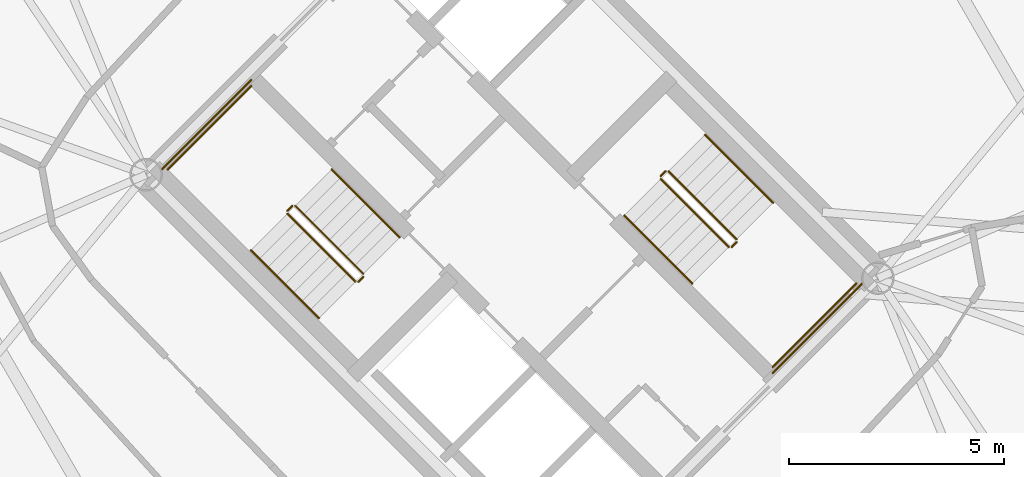
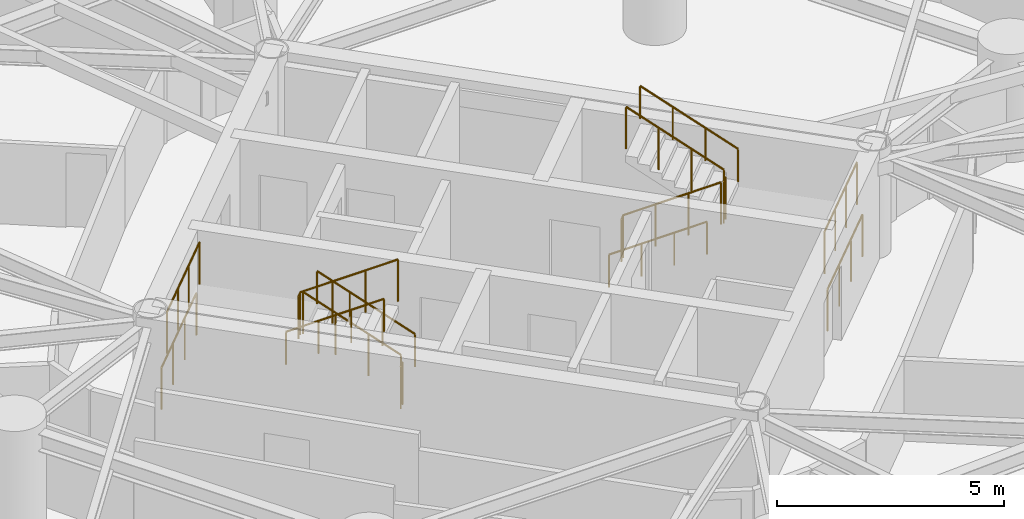
# One storey, part 17 of 17: 16 railings.
"""IFC4 building model written with IfcOpenShell, lengths in metres."""

from ifc_helpers import new_model, si_unit, direction, frame, origin, origin_2d, place, context, subcontext, project, spatial, circle, extrude, material, type_object, element, save


model = new_model("IFC4")

# Units and contexts
model_context = context("Model", 3, precision=1e-05, world=origin(), true_north=direction((0.0, 1.0)))
body_context = subcontext(model_context, "Body", "Model", "MODEL_VIEW")
ifc_project = project(units=[si_unit("LENGTHUNIT", "METRE"), si_unit("AREAUNIT", "SQUARE_METRE"), si_unit("VOLUMEUNIT", "CUBIC_METRE"), si_unit("PLANEANGLEUNIT", "RADIAN"), si_unit("MASSUNIT", "GRAM", prefix="KILO")], contexts=[model_context])

# Site, building, storey
site_placement = place(None, origin())
site = spatial("IfcSite", under=ifc_project, at=site_placement, CompositionType="ELEMENT")
building_placement = place(site_placement, origin())
building = spatial("IfcBuilding", under=site, at=building_placement, Name="Cununo Teusaquillo Station Towers", CompositionType="ELEMENT")
storey_placement = place(building_placement, frame((0.0, 0.0, 116.7099609375)))
storey = spatial("IfcBuildingStorey", under=building, at=storey_placement, Name="L37", CompositionType="ELEMENT", Elevation=116.7099609375)

# Railings
ifc_material_1 = material(Name="Steel EN 10025-2 S355J2", Category="steel")
railing_type_1 = type_object("IfcRailingType", Name="RL-INT-GUARD", PredefinedType="GUARDRAIL", material=ifc_material_1)
railing_1_placement = place(storey_placement, frame((54.03515625, 23.39697265625, 0.16162109375)))
element("IfcRailing", 1, at=railing_1_placement, inside=storey, type_object=railing_type_1, Name="L37 ST-T2-1 stair guard 1", PredefinedType="GUARDRAIL", context=body_context, shape_type="SweptSolid", body=[
    extrude(circle(Radius=0.02392578125, at=origin_2d()), frame((0.0, 0.0, 1.1259765625), z_axis=(-0.612332353853, 0.612332353853, 0.500098167213), x_axis=(-0.707106781187, -0.707106781187, 0.0)), (0.0, 0.0, 1.0), 2.58642578125),
    extrude(circle(Radius=0.02099609375, at=origin_2d()), origin(), (0.0, 0.0, 1.0), 1.101806640625),
    extrude(circle(Radius=0.02099609375, at=origin_2d()), frame((-0.52783203125, 0.52783203125, 0.43115234375)), (0.0, 0.0, 1.0), 1.101806640625),
    extrude(circle(Radius=0.02099609375, at=origin_2d()), frame((-1.055908203125, 1.055908203125, 0.8623046875)), (0.0, 0.0, 1.0), 1.101806640625),
    extrude(circle(Radius=0.02099609375, at=origin_2d()), frame((-1.583740234375, 1.583740234375, 1.29345703125)), (0.0, 0.0, 1.0), 1.101806640625),
])
railing_2_placement = place(storey_placement, frame((52.380615234375, 24.980712890625, 1.455078125)))
element("IfcRailing", 2, at=railing_2_placement, inside=storey, type_object=railing_type_1, Name="L37 ST-T2-1 stair guard 2", PredefinedType="GUARDRAIL", context=body_context, shape_type="SweptSolid", body=[
    extrude(circle(Radius=0.02392578125, at=origin_2d()), frame((0.0, 0.0, 1.1259765625), z_axis=(-0.7078691598, -0.706343579714, 0.0), x_axis=(0.706343579714, -0.7078691598, 0.0)), (0.0, 0.0, 1.0), 0.159912109375),
    extrude(circle(Radius=0.02099609375, at=origin_2d()), origin(), (0.0, 0.0, 1.0), 1.101806640625),
    extrude(circle(Radius=0.02099609375, at=origin_2d()), frame((-0.11328125, -0.113037109375, 0.0)), (0.0, 0.0, 1.0), 1.101806640625),
])
railing_3_placement = place(storey_placement, frame((51.426025390625, 27.77392578125, 1.455078125)))
element("IfcRailing", 3, at=railing_3_placement, inside=storey, type_object=railing_type_1, Name="L37 ST-T2-1 stair guard 3", PredefinedType="GUARDRAIL", context=body_context, shape_type="SweptSolid", body=[
    extrude(circle(Radius=0.02392578125, at=origin_2d()), frame((0.0, 0.0, 1.1259765625), z_axis=(-0.707106781187, -0.707106781187, 0.0), x_axis=(0.707106781187, -0.707106781187, 0.0)), (0.0, 0.0, 1.0), 2.760009765625),
    extrude(circle(Radius=0.02099609375, at=origin_2d()), origin(), (0.0, 0.0, 1.0), 1.101806640625),
    extrude(circle(Radius=0.02099609375, at=origin_2d()), frame((-0.650634765625, -0.650634765625, 0.0)), (0.0, 0.0, 1.0), 1.101806640625),
    extrude(circle(Radius=0.02099609375, at=origin_2d()), frame((-1.301025390625, -1.301025390625, 0.0)), (0.0, 0.0, 1.0), 1.101806640625),
    extrude(circle(Radius=0.02099609375, at=origin_2d()), frame((-1.95166015625, -1.95166015625, 0.0)), (0.0, 0.0, 1.0), 1.101806640625),
])
railing_4_placement = place(storey_placement, frame((52.267333984375, 24.796875, 1.61669921875)))
element("IfcRailing", 4, at=railing_4_placement, inside=storey, type_object=railing_type_1, Name="L37 ST-T2-1 stair guard 4", PredefinedType="GUARDRAIL", context=body_context, shape_type="SweptSolid", body=[
    extrude(circle(Radius=0.02392578125, at=origin_2d()), frame((0.0, 0.0, 1.1259765625), z_axis=(0.612391349474, -0.612296961165, 0.500069261639), x_axis=(0.707052281454, 0.707161276719, 0.0)), (0.0, 0.0, 1.0), 2.586669921875),
    extrude(circle(Radius=0.02099609375, at=origin_2d()), origin(), (0.0, 0.0, 1.0), 1.101806640625),
    extrude(circle(Radius=0.02099609375, at=origin_2d()), frame((0.528076171875, -0.52783203125, 0.43115234375)), (0.0, 0.0, 1.0), 1.101806640625),
    extrude(circle(Radius=0.02099609375, at=origin_2d()), frame((1.055908203125, -1.055908203125, 0.8623046875)), (0.0, 0.0, 1.0), 1.101806640625),
    extrude(circle(Radius=0.02099609375, at=origin_2d()), frame((1.583984375, -1.583740234375, 1.29345703125)), (0.0, 0.0, 1.0), 1.101806640625),
])
railing_5_placement = place(storey_placement, frame((54.03515625, 23.326171875, 0.0)))
element("IfcRailing", 5, at=railing_5_placement, inside=storey, type_object=railing_type_1, Name="L37 ST-T2-1 stair guard 5", PredefinedType="GUARDRAIL", context=body_context, shape_type="SweptSolid", body=[
    extrude(circle(Radius=0.02392578125, at=origin_2d()), frame((0.0, 0.0, 1.1259765625), z_axis=(-0.707106781187, -0.707106781187, 0.0), x_axis=(0.707106781187, -0.707106781187, 0.0)), (0.0, 0.0, 1.0), 0.159912109375),
    extrude(circle(Radius=0.02099609375, at=origin_2d()), origin(), (0.0, 0.0, 1.0), 1.101806640625),
    extrude(circle(Radius=0.02099609375, at=origin_2d()), frame((-0.113037109375, -0.113037109375, 0.0)), (0.0, 0.0, 1.0), 1.101806640625),
])
railing_6_placement = place(storey_placement, frame((51.426025390625, 27.915283203125, 0.0)))
element("IfcRailing", 6, at=railing_6_placement, inside=storey, type_object=railing_type_1, Name="L37 ST-T2-1 stair guard 6", PredefinedType="GUARDRAIL", context=body_context, shape_type="SweptSolid", body=[
    extrude(circle(Radius=0.02392578125, at=origin_2d()), frame((0.0, 0.0, 1.1259765625), z_axis=(-0.707106781187, -0.707106781187, 0.0), x_axis=(0.707106781187, -0.707106781187, 0.0)), (0.0, 0.0, 1.0), 2.9599609375),
    extrude(circle(Radius=0.02099609375, at=origin_2d()), origin(), (0.0, 0.0, 1.0), 1.101806640625),
    extrude(circle(Radius=0.02099609375, at=origin_2d()), frame((-0.69775390625, -0.69775390625, 0.0)), (0.0, 0.0, 1.0), 1.101806640625),
    extrude(circle(Radius=0.02099609375, at=origin_2d()), frame((-1.395263671875, -1.395263671875, 0.0)), (0.0, 0.0, 1.0), 1.101806640625),
    extrude(circle(Radius=0.02099609375, at=origin_2d()), frame((-2.093017578125, -2.093017578125, 0.0)), (0.0, 0.0, 1.0), 1.101806640625),
])
railing_7_placement = place(storey_placement, frame((60.96484375, 25.60302734375, 0.16162109375)))
element("IfcRailing", 7, at=railing_7_placement, inside=storey, type_object=railing_type_1, Name="L37 ST-T2-2 stair guard 1", PredefinedType="GUARDRAIL", context=body_context, shape_type="SweptSolid", body=[
    extrude(circle(Radius=0.02392578125, at=origin_2d()), frame((0.0, 0.0, 1.1259765625), z_axis=(0.612332353853, -0.612332353853, 0.500098167213), x_axis=(0.707106781187, 0.707106781187, 0.0)), (0.0, 0.0, 1.0), 2.58642578125),
    extrude(circle(Radius=0.02099609375, at=origin_2d()), origin(), (0.0, 0.0, 1.0), 1.101806640625),
    extrude(circle(Radius=0.02099609375, at=origin_2d()), frame((0.52783203125, -0.52783203125, 0.43115234375)), (0.0, 0.0, 1.0), 1.101806640625),
    extrude(circle(Radius=0.02099609375, at=origin_2d()), frame((1.055908203125, -1.055908203125, 0.8623046875)), (0.0, 0.0, 1.0), 1.101806640625),
    extrude(circle(Radius=0.02099609375, at=origin_2d()), frame((1.583740234375, -1.583740234375, 1.29345703125)), (0.0, 0.0, 1.0), 1.101806640625),
])
railing_8_placement = place(storey_placement, frame((62.619384765625, 24.019287109375, 1.455078125)))
element("IfcRailing", 8, at=railing_8_placement, inside=storey, type_object=railing_type_1, Name="L37 ST-T2-2 stair guard 2", PredefinedType="GUARDRAIL", context=body_context, shape_type="SweptSolid", body=[
    extrude(circle(Radius=0.02392578125, at=origin_2d()), frame((0.0, 0.0, 1.1259765625), z_axis=(0.7078691598, 0.706343579714, 0.0), x_axis=(-0.706343579714, 0.7078691598, 0.0)), (0.0, 0.0, 1.0), 0.159912109375),
    extrude(circle(Radius=0.02099609375, at=origin_2d()), origin(), (0.0, 0.0, 1.0), 1.101806640625),
    extrude(circle(Radius=0.02099609375, at=origin_2d()), frame((0.11328125, 0.113037109375, 0.0)), (0.0, 0.0, 1.0), 1.101806640625),
])
railing_9_placement = place(storey_placement, frame((63.573974609375, 21.22607421875, 1.455078125)))
element("IfcRailing", 9, at=railing_9_placement, inside=storey, type_object=railing_type_1, Name="L37 ST-T2-2 stair guard 3", PredefinedType="GUARDRAIL", context=body_context, shape_type="SweptSolid", body=[
    extrude(circle(Radius=0.02392578125, at=origin_2d()), frame((0.0, 0.0, 1.1259765625), z_axis=(0.707106781187, 0.707106781187, 0.0), x_axis=(-0.707106781187, 0.707106781187, 0.0)), (0.0, 0.0, 1.0), 2.760009765625),
    extrude(circle(Radius=0.02099609375, at=origin_2d()), origin(), (0.0, 0.0, 1.0), 1.101806640625),
    extrude(circle(Radius=0.02099609375, at=origin_2d()), frame((0.650634765625, 0.650634765625, 0.0)), (0.0, 0.0, 1.0), 1.101806640625),
    extrude(circle(Radius=0.02099609375, at=origin_2d()), frame((1.301025390625, 1.301025390625, 0.0)), (0.0, 0.0, 1.0), 1.101806640625),
    extrude(circle(Radius=0.02099609375, at=origin_2d()), frame((1.95166015625, 1.95166015625, 0.0)), (0.0, 0.0, 1.0), 1.101806640625),
])
railing_10_placement = place(storey_placement, frame((62.732666015625, 24.203125, 1.61669921875)))
element("IfcRailing", 10, at=railing_10_placement, inside=storey, type_object=railing_type_1, Name="L37 ST-T2-2 stair guard 4", PredefinedType="GUARDRAIL", context=body_context, shape_type="SweptSolid", body=[
    extrude(circle(Radius=0.02392578125, at=origin_2d()), frame((0.0, 0.0, 1.1259765625), z_axis=(-0.612391349474, 0.612296961165, 0.500069261639), x_axis=(-0.707052281454, -0.707161276719, 0.0)), (0.0, 0.0, 1.0), 2.586669921875),
    extrude(circle(Radius=0.02099609375, at=origin_2d()), origin(), (0.0, 0.0, 1.0), 1.101806640625),
    extrude(circle(Radius=0.02099609375, at=origin_2d()), frame((-0.528076171875, 0.52783203125, 0.43115234375)), (0.0, 0.0, 1.0), 1.101806640625),
    extrude(circle(Radius=0.02099609375, at=origin_2d()), frame((-1.055908203125, 1.055908203125, 0.8623046875)), (0.0, 0.0, 1.0), 1.101806640625),
    extrude(circle(Radius=0.02099609375, at=origin_2d()), frame((-1.583984375, 1.583740234375, 1.29345703125)), (0.0, 0.0, 1.0), 1.101806640625),
])
railing_11_placement = place(storey_placement, frame((60.96484375, 25.673828125, 0.0)))
element("IfcRailing", 11, at=railing_11_placement, inside=storey, type_object=railing_type_1, Name="L37 ST-T2-2 stair guard 5", PredefinedType="GUARDRAIL", context=body_context, shape_type="SweptSolid", body=[
    extrude(circle(Radius=0.02392578125, at=origin_2d()), frame((0.0, 0.0, 1.1259765625), z_axis=(0.707106781187, 0.707106781187, 0.0), x_axis=(-0.707106781187, 0.707106781187, 0.0)), (0.0, 0.0, 1.0), 0.159912109375),
    extrude(circle(Radius=0.02099609375, at=origin_2d()), origin(), (0.0, 0.0, 1.0), 1.101806640625),
    extrude(circle(Radius=0.02099609375, at=origin_2d()), frame((0.113037109375, 0.113037109375, 0.0)), (0.0, 0.0, 1.0), 1.101806640625),
])
railing_12_placement = place(storey_placement, frame((63.573974609375, 21.084716796875, 0.0)))
element("IfcRailing", 12, at=railing_12_placement, inside=storey, type_object=railing_type_1, Name="L37 ST-T2-2 stair guard 6", PredefinedType="GUARDRAIL", context=body_context, shape_type="SweptSolid", body=[
    extrude(circle(Radius=0.02392578125, at=origin_2d()), frame((0.0, 0.0, 1.1259765625), z_axis=(0.707106781187, 0.707106781187, 0.0), x_axis=(-0.707106781187, 0.707106781187, 0.0)), (0.0, 0.0, 1.0), 2.9599609375),
    extrude(circle(Radius=0.02099609375, at=origin_2d()), origin(), (0.0, 0.0, 1.0), 1.101806640625),
    extrude(circle(Radius=0.02099609375, at=origin_2d()), frame((0.69775390625, 0.69775390625, 0.0)), (0.0, 0.0, 1.0), 1.101806640625),
    extrude(circle(Radius=0.02099609375, at=origin_2d()), frame((1.395263671875, 1.395263671875, 0.0)), (0.0, 0.0, 1.0), 1.101806640625),
    extrude(circle(Radius=0.02099609375, at=origin_2d()), frame((2.093017578125, 2.093017578125, 0.0)), (0.0, 0.0, 1.0), 1.101806640625),
])
ifc_material_2 = material(Name="Steel EN 10025-2 S355J2", Category="steel")
railing_type_2 = type_object("IfcRailingType", Name="RL-INT-HRAIL", PredefinedType="HANDRAIL", material=ifc_material_2)
railing_13_placement = place(storey_placement, frame((54.8837890625, 24.245361328125, 0.16162109375)))
element("IfcRailing", 13, at=railing_13_placement, inside=storey, type_object=railing_type_2, Name="L37 ST-T2-1 stair handrail 1", PredefinedType="HANDRAIL", context=body_context, shape_type="SweptSolid", body=[
    extrude(circle(Radius=0.02392578125, at=origin_2d()), frame((0.0, 0.0, 0.8759765625), z_axis=(-0.612355957468, 0.612355957468, 0.500040361077), x_axis=(-0.707106781187, -0.707106781187, 0.0)), (0.0, 0.0, 1.0), 2.586669921875),
    extrude(circle(Radius=0.02099609375, at=origin_2d()), origin(), (0.0, 0.0, 1.0), 0.851806640625),
    extrude(circle(Radius=0.02099609375, at=origin_2d()), frame((-0.528076171875, 0.528076171875, 0.43115234375)), (0.0, 0.0, 1.0), 0.851806640625),
    extrude(circle(Radius=0.02099609375, at=origin_2d()), frame((-1.055908203125, 1.055908203125, 0.8623046875)), (0.0, 0.0, 1.0), 0.851806640625),
    extrude(circle(Radius=0.02099609375, at=origin_2d()), frame((-1.583984375, 1.583984375, 1.29345703125)), (0.0, 0.0, 1.0), 0.851806640625),
])
for number, where, name in (
    (14, (51.4189453125, 23.948486328125, 1.61669921875), "L37 ST-T2-1 stair handrail 2"),
    (15, (60.1162109375, 24.754638671875, 0.16162109375), "L37 ST-T2-2 stair handrail 1"),
):
    element("IfcRailing", number, at=place(storey_placement, frame(where)), inside=storey, type_object=railing_type_2, Name=name, PredefinedType="HANDRAIL", context=body_context, shape_type="SweptSolid", body=[
        extrude(circle(Radius=0.02392578125, at=origin_2d()), frame((0.0, 0.0, 0.8759765625), z_axis=(0.612355957468, -0.612355957468, 0.500040361077), x_axis=(0.707106781187, 0.707106781187, 0.0)), (0.0, 0.0, 1.0), 2.586669921875),
        extrude(circle(Radius=0.02099609375, at=origin_2d()), origin(), (0.0, 0.0, 1.0), 0.851806640625),
        extrude(circle(Radius=0.02099609375, at=origin_2d()), frame((0.528076171875, -0.528076171875, 0.43115234375)), (0.0, 0.0, 1.0), 0.851806640625),
        extrude(circle(Radius=0.02099609375, at=origin_2d()), frame((1.055908203125, -1.055908203125, 0.8623046875)), (0.0, 0.0, 1.0), 0.851806640625),
        extrude(circle(Radius=0.02099609375, at=origin_2d()), frame((1.583984375, -1.583984375, 1.29345703125)), (0.0, 0.0, 1.0), 0.851806640625),
    ])
railing_14_placement = place(storey_placement, frame((63.5810546875, 25.051513671875, 1.61669921875)))
element("IfcRailing", 16, at=railing_14_placement, inside=storey, type_object=railing_type_2, Name="L37 ST-T2-2 stair handrail 2", PredefinedType="HANDRAIL", context=body_context, shape_type="SweptSolid", body=[
    extrude(circle(Radius=0.02392578125, at=origin_2d()), frame((0.0, 0.0, 0.8759765625), z_axis=(-0.612355957468, 0.612355957468, 0.500040361077), x_axis=(-0.707106781187, -0.707106781187, 0.0)), (0.0, 0.0, 1.0), 2.586669921875),
    extrude(circle(Radius=0.02099609375, at=origin_2d()), origin(), (0.0, 0.0, 1.0), 0.851806640625),
    extrude(circle(Radius=0.02099609375, at=origin_2d()), frame((-0.528076171875, 0.528076171875, 0.43115234375)), (0.0, 0.0, 1.0), 0.851806640625),
    extrude(circle(Radius=0.02099609375, at=origin_2d()), frame((-1.055908203125, 1.055908203125, 0.8623046875)), (0.0, 0.0, 1.0), 0.851806640625),
    extrude(circle(Radius=0.02099609375, at=origin_2d()), frame((-1.583984375, 1.583984375, 1.29345703125)), (0.0, 0.0, 1.0), 0.851806640625),
])

save(model, "model.ifc")
